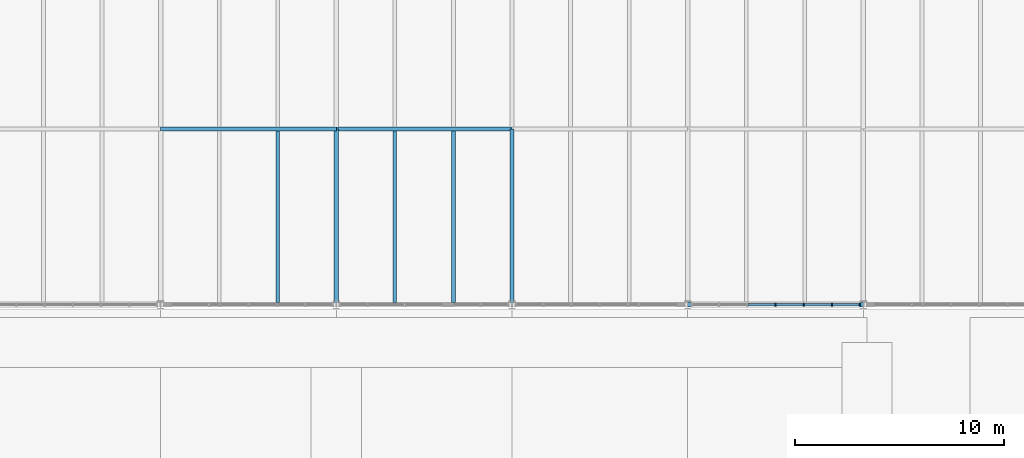
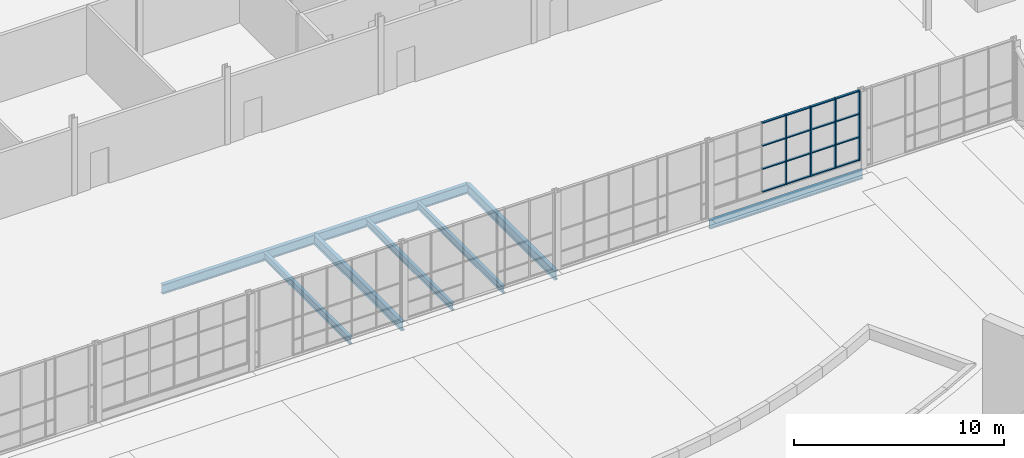
# One storey, part 44 of 116: 20 members, 8 beams, 1 element without a shape of its own.
"""IFC4 building model written with IfcOpenShell, lengths in metres."""

import ifcopenshell
import ifcopenshell.guid

model = None  # the IFC model being written
_history = None  # IfcOwnerHistory: only IFC2X3 demands one
_inside = {}  # id of a spatial element -> (the spatial element, [elements in it])
_under = {}  # id of a project, library or spatial element -> (it, [spatial elements below it])
_declared = {}  # id of a project -> (the project, [libraries it declares])
_typed = {}  # id of a type object -> (the type object, [elements of that type])
_made_of = {}  # id of a material, layer set ... -> (it, [elements and type objects made of it])


def new_model(schema):
    """Start an empty IFC model of exactly this schema.

    Asked for "IFC4X3", IfcOpenShell would pick the latest addendum, in which some entities
    have other attributes; the version numbers below select the first issue.
    IFC2X3 requires an IfcOwnerHistory on every rooted entity: one is made here for all.
    """
    global model, _history
    if schema == "IFC4X3":
        model = ifcopenshell.file(schema_version=(4, 3, 0, 0))
    else:
        model = ifcopenshell.file(schema=schema)
    _inside.clear()
    _under.clear()
    _declared.clear()
    _typed.clear()
    _made_of.clear()
    _history = None
    if model.schema == "IFC2X3":
        org = make("IfcOrganization", Name="unknown")
        user = make(
            "IfcPersonAndOrganization",
            ThePerson=make("IfcPerson", FamilyName="unknown"),
            TheOrganization=org,
        )
        app = make(
            "IfcApplication",
            ApplicationDeveloper=org,
            Version="unknown",
            ApplicationFullName="unknown",
            ApplicationIdentifier="unknown",
        )
        _history = make(
            "IfcOwnerHistory",
            OwningUser=user,
            OwningApplication=app,
            ChangeAction="ADDED",
            CreationDate=0,
        )
    return model


def make(cls, **values):
    """One entity of the class cls with the attributes given. An attribute that is None is left unset."""
    return model.create_entity(
        cls, **{name: value for name, value in values.items() if value is not None}
    )


def rooted(cls, **values):
    """An entity with a GlobalId (a new one), such as an element, a storey or a relation."""
    return make(cls, GlobalId=ifcopenshell.guid.new(), OwnerHistory=_history, **values)


def si_unit(unit_type, name, prefix=None):
    """IfcSIUnit, for example si_unit("LENGTHUNIT", "METRE", prefix="MILLI")."""
    return make("IfcSIUnit", UnitType=unit_type, Prefix=prefix, Name=name)


def assignment(units):
    """IfcUnitAssignment: the units of a project."""
    return None if units is None else make("IfcUnitAssignment", Units=units)


def point(xyz):
    """IfcCartesianPoint."""
    return None if xyz is None else make("IfcCartesianPoint", Coordinates=xyz)


def direction(xyz):
    """IfcDirection."""
    return None if xyz is None else make("IfcDirection", DirectionRatios=xyz)


def frame(location, z_axis=None, x_axis=None):
    """IfcAxis2Placement3D, a coordinate frame: its origin and axes. An axis left out is left unset."""
    return make(
        "IfcAxis2Placement3D",
        Location=point(location),
        Axis=direction(z_axis),
        RefDirection=direction(x_axis),
    )


def frame_2d(location, x_axis=None):
    """IfcAxis2Placement2D, a coordinate frame in the plane: its origin and x axis."""
    return make(
        "IfcAxis2Placement2D", Location=point(location), RefDirection=direction(x_axis)
    )


def origin():
    """The frame at (0, 0, 0) with its axes left unset."""
    return frame((0.0, 0.0, 0.0))


def origin_2d():
    """The frame at (0, 0) in the plane with its x axis left unset."""
    return frame_2d((0.0, 0.0))


def place(relative_to, where):
    """IfcLocalPlacement: puts the frame where relative to a parent placement (None: the world)."""
    return make(
        "IfcLocalPlacement", PlacementRelTo=relative_to, RelativePlacement=where
    )


def context(
    kind, dimensions, precision=None, world=None, true_north=None, identifier=None
):
    """IfcGeometricRepresentationContext, for example the 3D "Model" context."""
    return make(
        "IfcGeometricRepresentationContext",
        ContextIdentifier=identifier,
        ContextType=kind,
        CoordinateSpaceDimension=dimensions,
        Precision=precision,
        WorldCoordinateSystem=world,
        TrueNorth=true_north,
    )


def subcontext(parent, identifier, kind, view, scale=None):
    """IfcGeometricRepresentationSubContext, for example "Body" below "Model"."""
    return make(
        "IfcGeometricRepresentationSubContext",
        ContextIdentifier=identifier,
        ContextType=kind,
        ParentContext=parent,
        TargetScale=scale,
        TargetView=view,
    )


def project(units=None, contexts=None):
    """IfcProject with its units and contexts."""
    return rooted(
        "IfcProject",
        Name="project",
        RepresentationContexts=contexts,
        UnitsInContext=assignment(units),
    )


def spatial(cls, under=None, at=None, **own):
    """A site, building, storey or space (cls), placed at a placement, below another one or the project."""
    s = rooted(cls, ObjectPlacement=at, **own)
    if under is not None:
        _under.setdefault(under.id(), (under, []))[1].append(s)
    return s


def profile(cls, at=None, kind="AREA", **sizes):
    """A parametric profile (cls). Its sizes go by their IFC names, for example OverallWidth=200.0."""
    return make(cls, ProfileType=kind, Position=at, **sizes)


def rectangle(**sizes):
    """IfcRectangleProfileDef."""
    return profile("IfcRectangleProfileDef", **sizes)


def i_section(**sizes):
    """IfcIShapeProfileDef."""
    return profile("IfcIShapeProfileDef", **sizes)


def extrude(swept, where, along, depth):
    """IfcExtrudedAreaSolid: the profile swept, set in the frame where, extruded along a direction by depth."""
    return make(
        "IfcExtrudedAreaSolid",
        SweptArea=swept,
        Position=where,
        ExtrudedDirection=direction(along),
        Depth=depth,
    )


def shape(context_of_items, identifier, shape_type, items):
    """IfcShapeRepresentation: the items that make up one representation, for example the "Body"."""
    return make(
        "IfcShapeRepresentation",
        ContextOfItems=context_of_items,
        RepresentationIdentifier=identifier,
        RepresentationType=shape_type,
        Items=items,
    )


def material(Name=None, Category=None):
    """IfcMaterial."""
    return make("IfcMaterial", Name=Name, Category=Category)


def layer(
    of_material, thickness, ventilated=None, Name=None, Category=None, Priority=None
):
    """IfcMaterialLayer: one layer of a wall or slab, of a material (None: an air gap)."""
    return make(
        "IfcMaterialLayer",
        Material=of_material,
        LayerThickness=thickness,
        IsVentilated=ventilated,
        Name=Name,
        Category=Category,
        Priority=Priority,
    )


def layer_set(layers, Name=None):
    """IfcMaterialLayerSet."""
    return make("IfcMaterialLayerSet", MaterialLayers=layers, LayerSetName=Name)


def material_profile(
    of_material, cross_section, Name=None, Category=None, Priority=None
):
    """IfcMaterialProfile: a cross section and its material."""
    return make(
        "IfcMaterialProfile",
        Name=Name,
        Material=of_material,
        Profile=cross_section,
        Priority=Priority,
        Category=Category,
    )


def profile_set(profiles, Name=None, composite=None):
    """IfcMaterialProfileSet."""
    return make(
        "IfcMaterialProfileSet",
        Name=Name,
        MaterialProfiles=profiles,
        CompositeProfile=composite,
    )


def made_of(thing, what):
    """Note that an element or type object is made of a material, layer set ...; save() writes the relation."""
    if what is not None:
        _made_of.setdefault(what.id(), (what, []))[1].append(thing)
    return thing


def type_object(cls, material=None, **own):
    """A type object (cls), such as IfcWallType, which elements share."""
    return made_of(rooted(cls, **own), material)


def element(
    cls,
    number,
    at=None,
    inside=None,
    cuts=None,
    type_object=None,
    material=None,
    context=None,
    identifier="Body",
    shape_type=None,
    held_by="IfcProductDefinitionShape",
    body=None,
    shapes=None,
    **own,
):
    """One element of the class cls, such as IfcWall. Its Tag is "e" and its number.

    at: its placement. inside: the storey or other place that contains it. cuts: it is an
    opening in that element (IfcRelVoidsElement). A single representation is given by context,
    identifier, shape_type and body (its items); several are given by shapes. held_by: the class
    of the entity that holds the representations. save() writes the other relations.
    """
    e = rooted(cls, Tag="e%d" % number, ObjectPlacement=at, **own)
    if body is not None:
        shapes = [shape(context, identifier, shape_type, body)]
    if shapes is not None:
        e.Representation = make(held_by, Representations=shapes)
    if inside is not None:
        _inside.setdefault(inside.id(), (inside, []))[1].append(e)
    if cuts is not None:
        rooted(
            "IfcRelVoidsElement", RelatingBuildingElement=cuts, RelatedOpeningElement=e
        )
    if type_object is not None:
        _typed.setdefault(type_object.id(), (type_object, []))[1].append(e)
    return made_of(e, material)


def aggregate(whole, parts):
    """IfcRelAggregates: a whole, such as a stair, and the parts it consists of."""
    return rooted("IfcRelAggregates", RelatingObject=whole, RelatedObjects=parts)


def save(model, path):
    """Write the relations noted so far, then the file.

    IfcRelAggregates (storeys below a building ...), IfcRelContainedInSpatialStructure (elements
    in a storey), IfcRelDefinesByType, IfcRelAssociatesMaterial and IfcRelDeclares: one each for
    every whole, place, type object, material and project.
    """
    for whole, parts in _under.values():
        aggregate(whole, parts)
    for where, things in _inside.values():
        rooted(
            "IfcRelContainedInSpatialStructure",
            RelatedElements=things,
            RelatingStructure=where,
        )
    for kind, things in _typed.values():
        rooted("IfcRelDefinesByType", RelatedObjects=things, RelatingType=kind)
    for what, things in _made_of.values():
        rooted("IfcRelAssociatesMaterial", RelatedObjects=things, RelatingMaterial=what)
    for by, libraries in _declared.values():
        rooted("IfcRelDeclares", RelatingContext=by, RelatedDefinitions=libraries)
    model.write(path)


model = new_model("IFC4")

# Units and contexts
model_context = context("Model", 3, precision=1e-05, world=origin(), true_north=direction((0.0, 1.0)))
body_context = subcontext(model_context, "Body", "Model", "MODEL_VIEW")
ifc_project = project(units=[si_unit("LENGTHUNIT", "METRE"), si_unit("AREAUNIT", "SQUARE_METRE"), si_unit("VOLUMEUNIT", "CUBIC_METRE"), si_unit("PLANEANGLEUNIT", "RADIAN"), si_unit("MASSUNIT", "GRAM", prefix="KILO")], contexts=[model_context])

# Site, building, storey
site_placement = place(None, origin())
site = spatial("IfcSite", under=ifc_project, at=site_placement, CompositionType="ELEMENT")
building_placement = place(site_placement, origin())
building = spatial("IfcBuilding", under=site, at=building_placement, Name="Ardhachandra Cancer Care Centre", CompositionType="ELEMENT")
storey_placement = place(building_placement, origin())
storey = spatial("IfcBuildingStorey", under=building, at=storey_placement, Name="L00", CompositionType="ELEMENT", Elevation=0.0)

# Beams
ifc_material_1 = material(Name="Steel E350 (IS 2062)", Category="steel")
ifc_material_profile_1 = material_profile(ifc_material_1, i_section(OverallWidth=0.179931640625, OverallDepth=0.39990234375, WebThickness=0.008544921875, FlangeThickness=0.013427734375, FilletRadius=0.02099609375, at=origin_2d()), Name="NPB 400x180x66.30")
ifc_profile_set_1 = profile_set([ifc_material_profile_1], Name="Steel E350 (IS 2062)")
beam_type_1 = type_object("IfcBeamType", Name="Beam NPB 400x180x66.30", PredefinedType="BEAM", material=ifc_profile_set_1)
for number, where, z_axis, x_axis, name in (
    (1, (75.199951171875, 54.699951171875, -0.35009765625), (0.0, 1.0, 0.0), (-1.0, 0.0, 0.0), "Secondary F8-G8@5600"),
    (2, (80.800048828125, 54.699951171875, -0.35009765625), (0.0, 1.0, 0.0), (-1.0, 0.0, 0.0), "Secondary F9-G9@2800"),
    (3, (83.60009765625, 54.699951171875, -0.35009765625), (0.0, 1.0, 0.0), (-1.0, 0.0, 0.0), "Secondary F9-G9@5600"),
):
    element("IfcBeam", number, at=place(storey_placement, frame(where, z_axis=z_axis, x_axis=x_axis)), inside=storey, type_object=beam_type_1, Name=name, PredefinedType="BEAM", context=body_context, shape_type="SweptSolid", body=[
        extrude(i_section(OverallWidth=0.179931640625, OverallDepth=0.39990234375, WebThickness=0.008544921875, FlangeThickness=0.013427734375, FilletRadius=0.02099609375, at=origin_2d()), origin(), (0.0, 0.0, 1.0), 8.195068359375),
    ])
ifc_material_2 = material(Name="Steel E350 (IS 2062)", Category="steel")
ifc_material_profile_2 = material_profile(ifc_material_2, i_section(OverallWidth=0.199951171875, OverallDepth=0.5, WebThickness=0.01025390625, FlangeThickness=0.01611328125, FilletRadius=0.02099609375, at=origin_2d()), Name="NPB 500x200x90.68")
ifc_profile_set_2 = profile_set([ifc_material_profile_2], Name="Steel E350 (IS 2062)")
beam_type_2 = type_object("IfcBeamType", Name="Beam NPB 500x200x90.68", PredefinedType="BEAM", material=ifc_profile_set_2)
beam_placement = place(storey_placement, frame((94.800048828125, 54.60009765625, -0.39990234375), z_axis=(1.0, 0.0, 0.0), x_axis=(0.0, 1.0, 0.0)))
element("IfcBeam", 4, at=beam_placement, inside=storey, type_object=beam_type_2, Name="Edge girder F11-F12", PredefinedType="BEAM", context=body_context, shape_type="SweptSolid", body=[
    extrude(i_section(OverallWidth=0.199951171875, OverallDepth=0.5, WebThickness=0.01025390625, FlangeThickness=0.01611328125, FilletRadius=0.02099609375, at=origin_2d()), origin(), (0.0, 0.0, 1.0), 8.39990234375),
])
ifc_material_3 = material(Name="Steel E350 (IS 2062)", Category="steel")
ifc_material_profile_3 = material_profile(ifc_material_3, i_section(OverallWidth=0.2099609375, OverallDepth=0.550048828125, WebThickness=0.010986328125, FlangeThickness=0.01708984375, FilletRadius=0.02392578125, at=origin_2d()), Name="NPB 550x210x105.52")
ifc_profile_set_3 = profile_set([ifc_material_profile_3], Name="Steel E350 (IS 2062)")
beam_type_3 = type_object("IfcBeamType", Name="Beam NPB 550x210x105.52", PredefinedType="BEAM", material=ifc_profile_set_3)
for number, where, z_axis, x_axis, name in (
    (5, (69.60009765625, 63.0, -0.425048828125), (1.0, 0.0, 0.0), (0.0, 1.0, 0.0), "Girder G8-G9"),
    (6, (78.0, 63.0, -0.425048828125), (1.0, 0.0, 0.0), (0.0, 1.0, 0.0), "Girder G9-G10"),
    (7, (78.0, 54.60009765625, -0.425048828125), (0.0, 1.0, 0.0), (-1.0, 0.0, 0.0), "Girder F9-G9"),
    (8, (86.39990234375, 54.60009765625, -0.425048828125), (0.0, 1.0, 0.0), (-1.0, 0.0, 0.0), "Girder F10-G10"),
):
    element("IfcBeam", number, at=place(storey_placement, frame(where, z_axis=z_axis, x_axis=x_axis)), inside=storey, type_object=beam_type_3, Name=name, PredefinedType="BEAM", context=body_context, shape_type="SweptSolid", body=[
        extrude(i_section(OverallWidth=0.2099609375, OverallDepth=0.550048828125, WebThickness=0.010986328125, FlangeThickness=0.01708984375, FilletRadius=0.02392578125, at=origin_2d()), origin(), (0.0, 0.0, 1.0), 8.39990234375),
    ])

# Curtain wall, members
ifc_material_4 = material(Name="Aluminium extrusion", Category="aluminium")
ifc_layer = layer(ifc_material_4, 0.14990234375)
ifc_layer_set = layer_set([ifc_layer], Name="Aluminium extrusion")
curtain_wall_type = type_object("IfcCurtainWallType", Name="Curtain wall run", PredefinedType="NOTDEFINED", material=ifc_layer_set)
curtain_wall_placement = place(storey_placement, origin())
curtain_wall = element("IfcCurtainWall", 9, at=curtain_wall_placement, inside=storey, type_object=curtain_wall_type, Name="Curtain wall L00 s/0094800_0054600", PredefinedType="NOTDEFINED")
ifc_material_5 = material(Name="Aluminium extrusion", Category="aluminium")
ifc_material_profile_4 = material_profile(ifc_material_5, rectangle(XDim=0.159912109375, YDim=0.06005859375, at=origin_2d()), Name="Curtain wall mullion 60 x 160")
ifc_profile_set_4 = profile_set([ifc_material_profile_4], Name="Aluminium extrusion")
member_type_1 = type_object("IfcMemberType", Name="Curtain wall mullion 60 x 160", PredefinedType="MULLION", material=ifc_profile_set_4)
member_1_placement = place(storey_placement, frame((99.0, 54.60009765625, 0.449951171875), z_axis=(0.0, 0.0, 1.0), x_axis=(0.0, 1.0, 0.0)))
member_1 = element("IfcMember", 10, at=member_1_placement, type_object=member_type_1, Name="CW mullion 4", PredefinedType="MULLION", context=body_context, shape_type="SweptSolid", body=[
    extrude(rectangle(XDim=0.159912109375, YDim=0.06005859375, at=origin_2d()), origin(), (0.0, 0.0, 1.0), 4.050048828125),
])
member_2_placement = place(storey_placement, frame((100.35009765625, 54.60009765625, 0.449951171875), z_axis=(0.0, 0.0, 1.0), x_axis=(0.0, 1.0, 0.0)))
member_2 = element("IfcMember", 11, at=member_2_placement, type_object=member_type_1, Name="CW mullion 5", PredefinedType="MULLION", context=body_context, shape_type="SweptSolid", body=[
    extrude(rectangle(XDim=0.159912109375, YDim=0.06005859375, at=origin_2d()), origin(), (0.0, 0.0, 1.0), 4.050048828125),
])
member_3_placement = place(storey_placement, frame((101.699951171875, 54.60009765625, 0.449951171875), z_axis=(0.0, 0.0, 1.0), x_axis=(0.0, 1.0, 0.0)))
member_3 = element("IfcMember", 12, at=member_3_placement, type_object=member_type_1, Name="CW mullion 6", PredefinedType="MULLION", context=body_context, shape_type="SweptSolid", body=[
    extrude(rectangle(XDim=0.159912109375, YDim=0.06005859375, at=origin_2d()), origin(), (0.0, 0.0, 1.0), 4.050048828125),
])
member_4_placement = place(storey_placement, frame((103.02001953125, 54.60009765625, 0.449951171875), z_axis=(0.0, 0.0, 1.0), x_axis=(0.0, 1.0, 0.0)))
member_4 = element("IfcMember", 13, at=member_4_placement, type_object=member_type_1, Name="CW mullion 7", PredefinedType="MULLION", context=body_context, shape_type="SweptSolid", body=[
    extrude(rectangle(XDim=0.159912109375, YDim=0.06005859375, at=origin_2d()), origin(), (0.0, 0.0, 1.0), 4.050048828125),
])
ifc_material_6 = material(Name="Aluminium extrusion", Category="aluminium")
ifc_material_profile_5 = material_profile(ifc_material_6, rectangle(XDim=0.1201171875, YDim=0.06005859375, at=origin_2d()), Name="Curtain wall transom 60 x 120")
ifc_profile_set_5 = profile_set([ifc_material_profile_5], Name="Aluminium extrusion")
member_type_2 = type_object("IfcMemberType", Name="Curtain wall transom 60 x 120", PredefinedType="USERDEFINED", material=ifc_profile_set_5)
member_5_placement = place(storey_placement, frame((97.679931640625, 54.60009765625, 0.47998046875), z_axis=(1.0, 0.0, 0.0), x_axis=(0.0, 1.0, 0.0)))
member_5 = element("IfcMember", 14, at=member_5_placement, type_object=member_type_2, Name="CW transom 3.1", ObjectType="TRANSOM", PredefinedType="USERDEFINED", context=body_context, shape_type="SweptSolid", body=[
    extrude(rectangle(XDim=0.1201171875, YDim=0.06005859375, at=origin_2d()), origin(), (0.0, 0.0, 1.0), 1.2900390625),
])
member_6_placement = place(storey_placement, frame((97.679931640625, 54.60009765625, 1.800048828125), z_axis=(1.0, 0.0, 0.0), x_axis=(0.0, 1.0, 0.0)))
member_6 = element("IfcMember", 15, at=member_6_placement, type_object=member_type_2, Name="CW transom 3.2", ObjectType="TRANSOM", PredefinedType="USERDEFINED", context=body_context, shape_type="SweptSolid", body=[
    extrude(rectangle(XDim=0.1201171875, YDim=0.06005859375, at=origin_2d()), origin(), (0.0, 0.0, 1.0), 1.2900390625),
])
member_7_placement = place(storey_placement, frame((97.679931640625, 54.60009765625, 3.14990234375), z_axis=(1.0, 0.0, 0.0), x_axis=(0.0, 1.0, 0.0)))
member_7 = element("IfcMember", 16, at=member_7_placement, type_object=member_type_2, Name="CW transom 3.3", ObjectType="TRANSOM", PredefinedType="USERDEFINED", context=body_context, shape_type="SweptSolid", body=[
    extrude(rectangle(XDim=0.1201171875, YDim=0.06005859375, at=origin_2d()), origin(), (0.0, 0.0, 1.0), 1.2900390625),
])
member_8_placement = place(storey_placement, frame((97.679931640625, 54.60009765625, 4.469970703125), z_axis=(1.0, 0.0, 0.0), x_axis=(0.0, 1.0, 0.0)))
member_8 = element("IfcMember", 17, at=member_8_placement, type_object=member_type_2, Name="CW transom 3.4", ObjectType="TRANSOM", PredefinedType="USERDEFINED", context=body_context, shape_type="SweptSolid", body=[
    extrude(rectangle(XDim=0.1201171875, YDim=0.06005859375, at=origin_2d()), origin(), (0.0, 0.0, 1.0), 1.2900390625),
])
member_9_placement = place(storey_placement, frame((99.030029296875, 54.60009765625, 0.47998046875), z_axis=(1.0, 0.0, 0.0), x_axis=(0.0, 1.0, 0.0)))
member_9 = element("IfcMember", 18, at=member_9_placement, type_object=member_type_2, Name="CW transom 4.1", ObjectType="TRANSOM", PredefinedType="USERDEFINED", context=body_context, shape_type="SweptSolid", body=[
    extrude(rectangle(XDim=0.1201171875, YDim=0.06005859375, at=origin_2d()), origin(), (0.0, 0.0, 1.0), 1.2900390625),
])
member_10_placement = place(storey_placement, frame((99.030029296875, 54.60009765625, 1.800048828125), z_axis=(1.0, 0.0, 0.0), x_axis=(0.0, 1.0, 0.0)))
member_10 = element("IfcMember", 19, at=member_10_placement, type_object=member_type_2, Name="CW transom 4.2", ObjectType="TRANSOM", PredefinedType="USERDEFINED", context=body_context, shape_type="SweptSolid", body=[
    extrude(rectangle(XDim=0.1201171875, YDim=0.06005859375, at=origin_2d()), origin(), (0.0, 0.0, 1.0), 1.2900390625),
])
member_11_placement = place(storey_placement, frame((99.030029296875, 54.60009765625, 3.14990234375), z_axis=(1.0, 0.0, 0.0), x_axis=(0.0, 1.0, 0.0)))
member_11 = element("IfcMember", 20, at=member_11_placement, type_object=member_type_2, Name="CW transom 4.3", ObjectType="TRANSOM", PredefinedType="USERDEFINED", context=body_context, shape_type="SweptSolid", body=[
    extrude(rectangle(XDim=0.1201171875, YDim=0.06005859375, at=origin_2d()), origin(), (0.0, 0.0, 1.0), 1.2900390625),
])
member_12_placement = place(storey_placement, frame((99.030029296875, 54.60009765625, 4.469970703125), z_axis=(1.0, 0.0, 0.0), x_axis=(0.0, 1.0, 0.0)))
member_12 = element("IfcMember", 21, at=member_12_placement, type_object=member_type_2, Name="CW transom 4.4", ObjectType="TRANSOM", PredefinedType="USERDEFINED", context=body_context, shape_type="SweptSolid", body=[
    extrude(rectangle(XDim=0.1201171875, YDim=0.06005859375, at=origin_2d()), origin(), (0.0, 0.0, 1.0), 1.2900390625),
])
member_13_placement = place(storey_placement, frame((100.3798828125, 54.60009765625, 0.47998046875), z_axis=(1.0, 0.0, 0.0), x_axis=(0.0, 1.0, 0.0)))
member_13 = element("IfcMember", 22, at=member_13_placement, type_object=member_type_2, Name="CW transom 5.1", ObjectType="TRANSOM", PredefinedType="USERDEFINED", context=body_context, shape_type="SweptSolid", body=[
    extrude(rectangle(XDim=0.1201171875, YDim=0.06005859375, at=origin_2d()), origin(), (0.0, 0.0, 1.0), 1.2900390625),
])
member_14_placement = place(storey_placement, frame((100.3798828125, 54.60009765625, 1.800048828125), z_axis=(1.0, 0.0, 0.0), x_axis=(0.0, 1.0, 0.0)))
member_14 = element("IfcMember", 23, at=member_14_placement, type_object=member_type_2, Name="CW transom 5.2", ObjectType="TRANSOM", PredefinedType="USERDEFINED", context=body_context, shape_type="SweptSolid", body=[
    extrude(rectangle(XDim=0.1201171875, YDim=0.06005859375, at=origin_2d()), origin(), (0.0, 0.0, 1.0), 1.2900390625),
])
member_15_placement = place(storey_placement, frame((100.3798828125, 54.60009765625, 3.14990234375), z_axis=(1.0, 0.0, 0.0), x_axis=(0.0, 1.0, 0.0)))
member_15 = element("IfcMember", 24, at=member_15_placement, type_object=member_type_2, Name="CW transom 5.3", ObjectType="TRANSOM", PredefinedType="USERDEFINED", context=body_context, shape_type="SweptSolid", body=[
    extrude(rectangle(XDim=0.1201171875, YDim=0.06005859375, at=origin_2d()), origin(), (0.0, 0.0, 1.0), 1.2900390625),
])
member_16_placement = place(storey_placement, frame((100.3798828125, 54.60009765625, 4.469970703125), z_axis=(1.0, 0.0, 0.0), x_axis=(0.0, 1.0, 0.0)))
member_16 = element("IfcMember", 25, at=member_16_placement, type_object=member_type_2, Name="CW transom 5.4", ObjectType="TRANSOM", PredefinedType="USERDEFINED", context=body_context, shape_type="SweptSolid", body=[
    extrude(rectangle(XDim=0.1201171875, YDim=0.06005859375, at=origin_2d()), origin(), (0.0, 0.0, 1.0), 1.2900390625),
])
member_17_placement = place(storey_placement, frame((101.72998046875, 54.60009765625, 0.47998046875), z_axis=(1.0, 0.0, 0.0), x_axis=(0.0, 1.0, 0.0)))
member_17 = element("IfcMember", 26, at=member_17_placement, type_object=member_type_2, Name="CW transom 6.1", ObjectType="TRANSOM", PredefinedType="USERDEFINED", context=body_context, shape_type="SweptSolid", body=[
    extrude(rectangle(XDim=0.1201171875, YDim=0.06005859375, at=origin_2d()), origin(), (0.0, 0.0, 1.0), 1.260009765625),
])
member_18_placement = place(storey_placement, frame((101.72998046875, 54.60009765625, 1.800048828125), z_axis=(1.0, 0.0, 0.0), x_axis=(0.0, 1.0, 0.0)))
member_18 = element("IfcMember", 27, at=member_18_placement, type_object=member_type_2, Name="CW transom 6.2", ObjectType="TRANSOM", PredefinedType="USERDEFINED", context=body_context, shape_type="SweptSolid", body=[
    extrude(rectangle(XDim=0.1201171875, YDim=0.06005859375, at=origin_2d()), origin(), (0.0, 0.0, 1.0), 1.260009765625),
])
member_19_placement = place(storey_placement, frame((101.72998046875, 54.60009765625, 3.14990234375), z_axis=(1.0, 0.0, 0.0), x_axis=(0.0, 1.0, 0.0)))
member_19 = element("IfcMember", 28, at=member_19_placement, type_object=member_type_2, Name="CW transom 6.3", ObjectType="TRANSOM", PredefinedType="USERDEFINED", context=body_context, shape_type="SweptSolid", body=[
    extrude(rectangle(XDim=0.1201171875, YDim=0.06005859375, at=origin_2d()), origin(), (0.0, 0.0, 1.0), 1.260009765625),
])
member_20_placement = place(storey_placement, frame((101.72998046875, 54.60009765625, 4.469970703125), z_axis=(1.0, 0.0, 0.0), x_axis=(0.0, 1.0, 0.0)))
member_20 = element("IfcMember", 29, at=member_20_placement, type_object=member_type_2, Name="CW transom 6.4", ObjectType="TRANSOM", PredefinedType="USERDEFINED", context=body_context, shape_type="SweptSolid", body=[
    extrude(rectangle(XDim=0.1201171875, YDim=0.06005859375, at=origin_2d()), origin(), (0.0, 0.0, 1.0), 1.260009765625),
])
aggregate(curtain_wall, [member_1, member_2, member_3, member_4, member_5, member_6, member_7, member_8, member_9, member_10, member_11, member_12, member_13, member_14, member_15, member_16, member_17, member_18, member_19, member_20])

save(model, "model.ifc")
